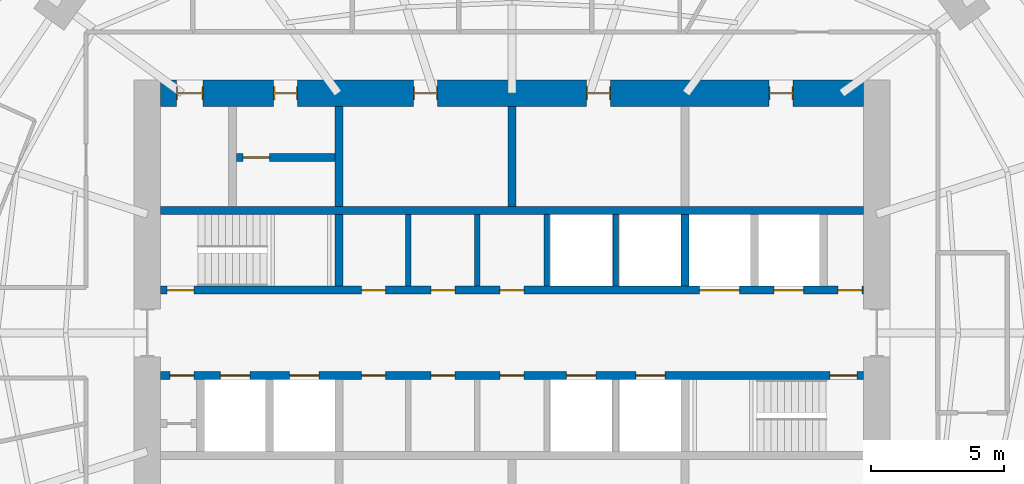
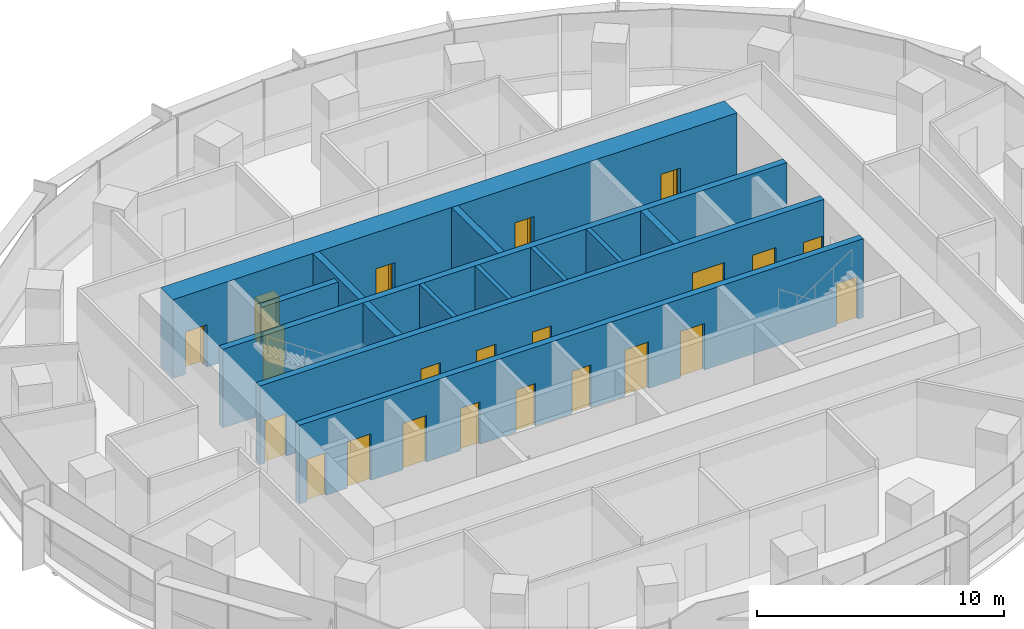
# One storey, part 11 of 14: 22 doors, 13 walls, 22 openings.
"""IFC4 building model written with IfcOpenShell, lengths in metres."""

from ifc_helpers import new_model, si_unit, direction, frame, frame_2d, origin, place, context, subcontext, project, spatial, rectangle, extrude, material, layer, layer_set, type_object, element, fill, save


model = new_model("IFC4")

# Units and contexts
model_context = context("Model", 3, precision=1e-05, world=origin(), true_north=direction((0.0, 1.0)))
body_context = subcontext(model_context, "Body", "Model", "MODEL_VIEW")
ifc_project = project(units=[si_unit("LENGTHUNIT", "METRE"), si_unit("AREAUNIT", "SQUARE_METRE"), si_unit("VOLUMEUNIT", "CUBIC_METRE"), si_unit("PLANEANGLEUNIT", "RADIAN"), si_unit("MASSUNIT", "GRAM", prefix="KILO")], contexts=[model_context])

# Site, building, storey
site_placement = place(None, origin())
site = spatial("IfcSite", under=ifc_project, at=site_placement, CompositionType="ELEMENT")
building_placement = place(site_placement, origin())
building = spatial("IfcBuilding", under=site, at=building_placement, Name="Marramba Exchange Tower", CompositionType="ELEMENT")
storey_placement = place(building_placement, frame((0.0, 0.0, 195.5)))
storey = spatial("IfcBuildingStorey", under=building, at=storey_placement, Name="L47", CompositionType="ELEMENT", Elevation=195.5)

# Walls
ifc_material_1 = material(Name="Concrete N50", Category="concrete")
ifc_layer_1 = layer(ifc_material_1, 0.199951171875)
ifc_layer_set_1 = layer_set([ifc_layer_1], Name="Core shaft wall 200")
wall_type_1 = type_object("IfcWallType", Name="Core shaft wall 200", PredefinedType="SHEAR", material=ifc_layer_set_1)
for number, where, z_axis, x_axis, name in (
    (1, (-3.89990234375, 1.75, 0.0), (0.0, 0.0, 1.0), (0.0, 1.0, 0.0), "Core wall SHN1 L47"),
    (2, (-1.300048828125, 1.75, 0.0), (0.0, 0.0, 1.0), (0.0, 1.0, 0.0), "Core wall SHN2 L47"),
    (3, (1.300048828125, 1.75, 0.0), (0.0, 0.0, 1.0), (0.0, 1.0, 0.0), "Core wall SHN3 L47"),
    (4, (3.89990234375, 1.75, 0.0), (0.0, 0.0, 1.0), (0.0, 1.0, 0.0), "Core wall SHN4 L47"),
):
    element("IfcWall", number, at=place(storey_placement, frame(where, z_axis=z_axis, x_axis=x_axis)), inside=storey, type_object=wall_type_1, Name=name, PredefinedType="SHEAR", context=body_context, shape_type="SweptSolid", body=[
        extrude(rectangle(XDim=2.699951171875, YDim=0.199951171875, at=frame_2d((1.35009765625, 0.0))), origin(), (0.0, 0.0, 1.0), 3.89990234375),
    ])

# Wall, openings, doors
ifc_layer_2 = layer(ifc_material_1, 1.0)
ifc_layer_set_2 = layer_set([ifc_layer_2], Name="Core wall 1000")
wall_type_2 = type_object("IfcWallType", Name="Core wall 1000", PredefinedType="SHEAR", material=ifc_layer_set_2)
wall_1_placement = place(storey_placement, frame((13.199951171875, 9.0, 0.0), z_axis=(0.0, 0.0, 1.0), x_axis=(-1.0, 0.0, 0.0)))
wall_1 = element("IfcWall", 5, at=wall_1_placement, inside=storey, type_object=wall_type_2, Name="Core wall N L47", PredefinedType="SHEAR", context=body_context, shape_type="SweptSolid", body=[
    extrude(rectangle(XDim=26.39990234375, YDim=1.0, at=frame_2d((13.199951171875, 0.0))), origin(), (0.0, 0.0, 1.0), 3.89990234375),
])
opening_1_placement = place(wall_1_placement, frame((2.64990234375, 0.0, 0.0)))
opening_1 = element("IfcOpeningElement", 6, at=opening_1_placement, cuts=wall_1, Name="Opening D5", PredefinedType="OPENING", context=body_context, shape_type="SweptSolid", body=[
    extrude(rectangle(XDim=0.89990234375, YDim=2.10009765625, at=frame_2d((0.449951171875, 1.050048828125))), frame((0.0, 0.510009765625, 0.0), z_axis=(0.0, -1.0, 0.0), x_axis=(1.0, 0.0, 0.0)), (0.0, 0.0, 1.0), 1.02001953125),
])
opening_2_placement = place(wall_1_placement, frame((9.5, 0.0, 0.0)))
opening_2 = element("IfcOpeningElement", 7, at=opening_2_placement, cuts=wall_1, Name="Opening D3", PredefinedType="OPENING", context=body_context, shape_type="SweptSolid", body=[
    extrude(rectangle(XDim=0.89990234375, YDim=2.10009765625, at=frame_2d((0.449951171875, 1.050048828125))), frame((0.0, 0.510009765625, 0.0), z_axis=(0.0, -1.0, 0.0), x_axis=(1.0, 0.0, 0.0)), (0.0, 0.0, 1.0), 1.02001953125),
])
opening_3_placement = place(wall_1_placement, frame((16.0, 0.0, 0.0)))
opening_3 = element("IfcOpeningElement", 8, at=opening_3_placement, cuts=wall_1, Name="Opening D3", PredefinedType="OPENING", context=body_context, shape_type="SweptSolid", body=[
    extrude(rectangle(XDim=0.89990234375, YDim=2.10009765625, at=frame_2d((0.449951171875, 1.050048828125))), frame((0.0, 0.510009765625, 0.0), z_axis=(0.0, -1.0, 0.0), x_axis=(1.0, 0.0, 0.0)), (0.0, 0.0, 1.0), 1.02001953125),
])
opening_4_placement = place(wall_1_placement, frame((21.25, 0.0, 0.0)))
opening_4 = element("IfcOpeningElement", 9, at=opening_4_placement, cuts=wall_1, Name="Opening D5", PredefinedType="OPENING", context=body_context, shape_type="SweptSolid", body=[
    extrude(rectangle(XDim=0.89990234375, YDim=2.10009765625, at=frame_2d((0.449951171875, 1.050048828125))), frame((0.0, 0.510009765625, 0.0), z_axis=(0.0, -1.0, 0.0), x_axis=(1.0, 0.0, 0.0)), (0.0, 0.0, 1.0), 1.02001953125),
])
opening_5_placement = place(wall_1_placement, frame((24.800048828125, 0.0, 0.0)))
opening_5 = element("IfcOpeningElement", 10, at=opening_5_placement, cuts=wall_1, Name="Opening D4", PredefinedType="OPENING", context=body_context, shape_type="SweptSolid", body=[
    extrude(rectangle(XDim=1.0, YDim=2.10009765625, at=frame_2d((0.5, 1.050048828125))), frame((0.0, 0.510009765625, 0.0), z_axis=(0.0, -1.0, 0.0), x_axis=(1.0, 0.0, 0.0)), (0.0, 0.0, 1.0), 1.02001953125),
])
ifc_material_2 = material(Name="Steel-framed door", Category="steel")
door_type_1 = type_object("IfcDoorType", Name="Accessible toilet door 1000x2100", OperationType="SINGLE_SWING_LEFT", PredefinedType="DOOR", material=ifc_material_2)
door_1_placement = place(opening_5_placement, origin())
door_1 = element("IfcDoor", 11, at=door_1_placement, inside=storey, type_object=door_type_1, Name="D4 awc L47", OperationType="SINGLE_SWING_RIGHT", OverallHeight=2.10009765625, OverallWidth=1.0, PredefinedType="DOOR", context=body_context, shape_type="SweptSolid", body=[
    extrude(rectangle(XDim=0.919921875, YDim=2.06005859375, at=frame_2d((0.5, 1.030029296875))), frame((0.0, 0.02490234375, 0.0), z_axis=(0.0, -1.0, 0.0), x_axis=(1.0, 0.0, 0.0)), (0.0, 0.0, 1.0), 0.050048828125),
    extrude(rectangle(XDim=0.04, YDim=2.10009765625, at=frame_2d((0.02001953125, 1.050048828125))), frame((0.0, 0.25, 0.0), z_axis=(0.0, -1.0, 0.0), x_axis=(1.0, 0.0, 0.0)), (0.0, 0.0, 1.0), 0.5),
    extrude(rectangle(XDim=0.04, YDim=2.10009765625, at=frame_2d((0.97998046875, 1.050048828125))), frame((0.0, 0.25, 0.0), z_axis=(0.0, -1.0, 0.0), x_axis=(1.0, 0.0, 0.0)), (0.0, 0.0, 1.0), 0.5),
    extrude(rectangle(XDim=0.919921875, YDim=0.04, at=frame_2d((0.5, 2.080078125))), frame((0.0, 0.25, 0.0), z_axis=(0.0, -1.0, 0.0), x_axis=(1.0, 0.0, 0.0)), (0.0, 0.0, 1.0), 0.5),
])
fill(opening_5, door_1)
door_type_2 = type_object("IfcDoorType", Name="Service door 900x2100", OperationType="SINGLE_SWING_LEFT", PredefinedType="DOOR", material=ifc_material_2)
door_2_placement = place(opening_1_placement, origin())
door_2 = element("IfcDoor", 12, at=door_2_placement, inside=storey, type_object=door_type_2, Name="D5 comms L47", OperationType="SINGLE_SWING_LEFT", OverallHeight=2.10009765625, OverallWidth=0.89990234375, PredefinedType="DOOR", context=body_context, shape_type="SweptSolid", body=[
    extrude(rectangle(XDim=0.81982421875, YDim=2.06005859375, at=frame_2d((0.449951171875, 1.030029296875))), frame((0.0, 0.02490234375, 0.0), z_axis=(0.0, -1.0, 0.0), x_axis=(1.0, 0.0, 0.0)), (0.0, 0.0, 1.0), 0.050048828125),
    extrude(rectangle(XDim=0.04, YDim=2.10009765625, at=frame_2d((0.02001953125, 1.050048828125))), frame((0.0, 0.25, 0.0), z_axis=(0.0, -1.0, 0.0), x_axis=(1.0, 0.0, 0.0)), (0.0, 0.0, 1.0), 0.5),
    extrude(rectangle(XDim=0.04, YDim=2.10009765625, at=frame_2d((0.8798828125, 1.050048828125))), frame((0.0, 0.25, 0.0), z_axis=(0.0, -1.0, 0.0), x_axis=(1.0, 0.0, 0.0)), (0.0, 0.0, 1.0), 0.5),
    extrude(rectangle(XDim=0.81982421875, YDim=0.04, at=frame_2d((0.449951171875, 2.080078125))), frame((0.0, 0.25, 0.0), z_axis=(0.0, -1.0, 0.0), x_axis=(1.0, 0.0, 0.0)), (0.0, 0.0, 1.0), 0.5),
])
fill(opening_1, door_2)
door_3_placement = place(opening_4_placement, origin())
door_3 = element("IfcDoor", 13, at=door_3_placement, inside=storey, type_object=door_type_2, Name="D5 cleaner L47", OperationType="SINGLE_SWING_RIGHT", OverallHeight=2.10009765625, OverallWidth=0.89990234375, PredefinedType="DOOR", context=body_context, shape_type="SweptSolid", body=[
    extrude(rectangle(XDim=0.81982421875, YDim=2.06005859375, at=frame_2d((0.449951171875, 1.030029296875))), frame((0.0, 0.02490234375, 0.0), z_axis=(0.0, -1.0, 0.0), x_axis=(1.0, 0.0, 0.0)), (0.0, 0.0, 1.0), 0.050048828125),
    extrude(rectangle(XDim=0.04, YDim=2.10009765625, at=frame_2d((0.02001953125, 1.050048828125))), frame((0.0, 0.25, 0.0), z_axis=(0.0, -1.0, 0.0), x_axis=(1.0, 0.0, 0.0)), (0.0, 0.0, 1.0), 0.5),
    extrude(rectangle(XDim=0.04, YDim=2.10009765625, at=frame_2d((0.8798828125, 1.050048828125))), frame((0.0, 0.25, 0.0), z_axis=(0.0, -1.0, 0.0), x_axis=(1.0, 0.0, 0.0)), (0.0, 0.0, 1.0), 0.5),
    extrude(rectangle(XDim=0.81982421875, YDim=0.04, at=frame_2d((0.449951171875, 2.080078125))), frame((0.0, 0.25, 0.0), z_axis=(0.0, -1.0, 0.0), x_axis=(1.0, 0.0, 0.0)), (0.0, 0.0, 1.0), 0.5),
])
fill(opening_4, door_3)
door_type_3 = type_object("IfcDoorType", Name="Toilet door 900x2100", OperationType="SINGLE_SWING_LEFT", PredefinedType="DOOR", material=ifc_material_2)
door_4_placement = place(opening_2_placement, origin())
door_4 = element("IfcDoor", 14, at=door_4_placement, inside=storey, type_object=door_type_3, Name="D3 wc-f L47", OperationType="SINGLE_SWING_RIGHT", OverallHeight=2.10009765625, OverallWidth=0.89990234375, PredefinedType="DOOR", context=body_context, shape_type="SweptSolid", body=[
    extrude(rectangle(XDim=0.81982421875, YDim=2.06005859375, at=frame_2d((0.449951171875, 1.030029296875))), frame((0.0, 0.02490234375, 0.0), z_axis=(0.0, -1.0, 0.0), x_axis=(1.0, 0.0, 0.0)), (0.0, 0.0, 1.0), 0.050048828125),
    extrude(rectangle(XDim=0.04, YDim=2.10009765625, at=frame_2d((0.02001953125, 1.050048828125))), frame((0.0, 0.25, 0.0), z_axis=(0.0, -1.0, 0.0), x_axis=(1.0, 0.0, 0.0)), (0.0, 0.0, 1.0), 0.5),
    extrude(rectangle(XDim=0.04, YDim=2.10009765625, at=frame_2d((0.8798828125, 1.050048828125))), frame((0.0, 0.25, 0.0), z_axis=(0.0, -1.0, 0.0), x_axis=(1.0, 0.0, 0.0)), (0.0, 0.0, 1.0), 0.5),
    extrude(rectangle(XDim=0.81982421875, YDim=0.04, at=frame_2d((0.449951171875, 2.080078125))), frame((0.0, 0.25, 0.0), z_axis=(0.0, -1.0, 0.0), x_axis=(1.0, 0.0, 0.0)), (0.0, 0.0, 1.0), 0.5),
])
fill(opening_2, door_4)
door_5_placement = place(opening_3_placement, origin())
door_5 = element("IfcDoor", 15, at=door_5_placement, inside=storey, type_object=door_type_3, Name="D3 wc-m L47", OperationType="SINGLE_SWING_RIGHT", OverallHeight=2.10009765625, OverallWidth=0.89990234375, PredefinedType="DOOR", context=body_context, shape_type="SweptSolid", body=[
    extrude(rectangle(XDim=0.81982421875, YDim=2.06005859375, at=frame_2d((0.449951171875, 1.030029296875))), frame((0.0, 0.02490234375, 0.0), z_axis=(0.0, -1.0, 0.0), x_axis=(1.0, 0.0, 0.0)), (0.0, 0.0, 1.0), 0.050048828125),
    extrude(rectangle(XDim=0.04, YDim=2.10009765625, at=frame_2d((0.02001953125, 1.050048828125))), frame((0.0, 0.25, 0.0), z_axis=(0.0, -1.0, 0.0), x_axis=(1.0, 0.0, 0.0)), (0.0, 0.0, 1.0), 0.5),
    extrude(rectangle(XDim=0.04, YDim=2.10009765625, at=frame_2d((0.8798828125, 1.050048828125))), frame((0.0, 0.25, 0.0), z_axis=(0.0, -1.0, 0.0), x_axis=(1.0, 0.0, 0.0)), (0.0, 0.0, 1.0), 0.5),
    extrude(rectangle(XDim=0.81982421875, YDim=0.04, at=frame_2d((0.449951171875, 2.080078125))), frame((0.0, 0.25, 0.0), z_axis=(0.0, -1.0, 0.0), x_axis=(1.0, 0.0, 0.0)), (0.0, 0.0, 1.0), 0.5),
])
fill(opening_3, door_5)

ifc_layer_3 = layer(ifc_material_1, 0.300048828125)
ifc_layer_set_3 = layer_set([ifc_layer_3], Name="Core wall 300")
wall_type_3 = type_object("IfcWallType", Name="Core wall 300", PredefinedType="SHEAR", material=ifc_layer_set_3)
wall_2_placement = place(storey_placement, frame((-13.199951171875, 1.60009765625, 0.0), z_axis=(0.0, 0.0, 1.0), x_axis=(1.0, 0.0, 0.0)))
wall_2 = element("IfcWall", 16, at=wall_2_placement, inside=storey, type_object=wall_type_3, Name="Core wall LN L47", PredefinedType="SHEAR", context=body_context, shape_type="SweptSolid", body=[
    extrude(rectangle(XDim=26.39990234375, YDim=0.300048828125, at=frame_2d((13.199951171875, 0.0))), origin(), (0.0, 0.0, 1.0), 3.89990234375),
])
opening_6_placement = place(wall_2_placement, frame((0.25, 0.0, 0.0)))
opening_6 = element("IfcOpeningElement", 17, at=opening_6_placement, cuts=wall_2, Name="Opening D2", PredefinedType="OPENING", context=body_context, shape_type="SweptSolid", body=[
    extrude(rectangle(XDim=1.0, YDim=2.10009765625, at=frame_2d((0.5, 1.050048828125))), frame((0.0, 0.159912109375, 0.0), z_axis=(0.0, -1.0, 0.0), x_axis=(1.0, 0.0, 0.0)), (0.0, 0.0, 1.0), 0.320068359375),
])
opening_7_placement = place(wall_2_placement, frame((23.050048828125, 0.0, 0.0)))
opening_7 = element("IfcOpeningElement", 18, at=opening_7_placement, cuts=wall_2, Name="Opening LD1", PredefinedType="OPENING", context=body_context, shape_type="SweptSolid", body=[
    extrude(rectangle(XDim=1.10009765625, YDim=2.300048828125, at=frame_2d((0.550048828125, 1.14990234375))), frame((0.0, 0.159912109375, 0.0), z_axis=(0.0, -1.0, 0.0), x_axis=(1.0, 0.0, 0.0)), (0.0, 0.0, 1.0), 0.320068359375),
])
opening_8_placement = place(wall_2_placement, frame((20.25, 0.0, 0.0)))
opening_8 = element("IfcOpeningElement", 19, at=opening_8_placement, cuts=wall_2, Name="Opening LD3", PredefinedType="OPENING", context=body_context, shape_type="SweptSolid", body=[
    extrude(rectangle(XDim=1.5, YDim=2.39990234375, at=frame_2d((0.75, 1.199951171875))), frame((0.0, 0.159912109375, 0.0), z_axis=(0.0, -1.0, 0.0), x_axis=(1.0, 0.0, 0.0)), (0.0, 0.0, 1.0), 0.320068359375),
])
opening_9_placement = place(wall_2_placement, frame((7.550048828125, 0.0, 0.0)))
opening_9 = element("IfcOpeningElement", 20, at=opening_9_placement, cuts=wall_2, Name="Opening D5", PredefinedType="OPENING", context=body_context, shape_type="SweptSolid", body=[
    extrude(rectangle(XDim=0.89990234375, YDim=2.10009765625, at=frame_2d((0.449951171875, 1.050048828125))), frame((0.0, 0.159912109375, 0.0), z_axis=(0.0, -1.0, 0.0), x_axis=(1.0, 0.0, 0.0)), (0.0, 0.0, 1.0), 0.320068359375),
])
opening_10_placement = place(wall_2_placement, frame((10.14990234375, 0.0, 0.0)))
opening_10 = element("IfcOpeningElement", 21, at=opening_10_placement, cuts=wall_2, Name="Opening D5", PredefinedType="OPENING", context=body_context, shape_type="SweptSolid", body=[
    extrude(rectangle(XDim=0.89990234375, YDim=2.10009765625, at=frame_2d((0.449951171875, 1.050048828125))), frame((0.0, 0.159912109375, 0.0), z_axis=(0.0, -1.0, 0.0), x_axis=(1.0, 0.0, 0.0)), (0.0, 0.0, 1.0), 0.320068359375),
])
opening_11_placement = place(wall_2_placement, frame((12.75, 0.0, 0.0)))
opening_11 = element("IfcOpeningElement", 22, at=opening_11_placement, cuts=wall_2, Name="Opening D5", PredefinedType="OPENING", context=body_context, shape_type="SweptSolid", body=[
    extrude(rectangle(XDim=0.89990234375, YDim=2.10009765625, at=frame_2d((0.449951171875, 1.050048828125))), frame((0.0, 0.159912109375, 0.0), z_axis=(0.0, -1.0, 0.0), x_axis=(1.0, 0.0, 0.0)), (0.0, 0.0, 1.0), 0.320068359375),
])
opening_12_placement = place(wall_2_placement, frame((25.449951171875, 0.0, 0.0)))
opening_12 = element("IfcOpeningElement", 23, at=opening_12_placement, cuts=wall_2, Name="Opening D5", PredefinedType="OPENING", context=body_context, shape_type="SweptSolid", body=[
    extrude(rectangle(XDim=0.89990234375, YDim=2.10009765625, at=frame_2d((0.449951171875, 1.050048828125))), frame((0.0, 0.159912109375, 0.0), z_axis=(0.0, -1.0, 0.0), x_axis=(1.0, 0.0, 0.0)), (0.0, 0.0, 1.0), 0.320068359375),
])
door_type_4 = type_object("IfcDoorType", Name="Goods lift landing door 1500x2400", OperationType="SLIDING_TO_LEFT", PredefinedType="DOOR", material=ifc_material_2)
door_6_placement = place(opening_8_placement, origin())
door_6 = element("IfcDoor", 24, at=door_6_placement, inside=storey, type_object=door_type_4, Name="GL1 landing door L47", OperationType="SLIDING_TO_LEFT", OverallHeight=2.39990234375, OverallWidth=1.5, PredefinedType="DOOR", context=body_context, shape_type="SweptSolid", body=[
    extrude(rectangle(XDim=1.5, YDim=2.39990234375, at=frame_2d((0.75, 1.199951171875))), frame((0.0, 0.02490234375, 0.0), z_axis=(0.0, -1.0, 0.0), x_axis=(1.0, 0.0, 0.0)), (0.0, 0.0, 1.0), 0.050048828125),
])
fill(opening_8, door_6)
door_type_5 = type_object("IfcDoorType", Name="Lift landing door 1100x2300", OperationType="SLIDING_TO_LEFT", PredefinedType="DOOR", material=ifc_material_2)
door_7_placement = place(opening_7_placement, origin())
door_7 = element("IfcDoor", 25, at=door_7_placement, inside=storey, type_object=door_type_5, Name="LC3 landing door L47", OperationType="SLIDING_TO_LEFT", OverallHeight=2.300048828125, OverallWidth=1.10009765625, PredefinedType="DOOR", context=body_context, shape_type="SweptSolid", body=[
    extrude(rectangle(XDim=1.10009765625, YDim=2.300048828125, at=frame_2d((0.550048828125, 1.14990234375))), frame((0.0, 0.02490234375, 0.0), z_axis=(0.0, -1.0, 0.0), x_axis=(1.0, 0.0, 0.0)), (0.0, 0.0, 1.0), 0.050048828125),
])
fill(opening_7, door_7)
door_8_placement = place(opening_9_placement, origin())
door_8 = element("IfcDoor", 26, at=door_8_placement, inside=storey, type_object=door_type_2, Name="D5 stationery store L47", OperationType="SINGLE_SWING_RIGHT", OverallHeight=2.10009765625, OverallWidth=0.89990234375, PredefinedType="DOOR", context=body_context, shape_type="SweptSolid", body=[
    extrude(rectangle(XDim=0.89990234375, YDim=2.10009765625, at=frame_2d((0.449951171875, 1.050048828125))), frame((0.0, 0.02490234375, 0.0), z_axis=(0.0, -1.0, 0.0), x_axis=(1.0, 0.0, 0.0)), (0.0, 0.0, 1.0), 0.050048828125),
])
fill(opening_9, door_8)
door_9_placement = place(opening_10_placement, origin())
door_9 = element("IfcDoor", 27, at=door_9_placement, inside=storey, type_object=door_type_2, Name="D5 switch room L47", OperationType="SINGLE_SWING_RIGHT", OverallHeight=2.10009765625, OverallWidth=0.89990234375, PredefinedType="DOOR", context=body_context, shape_type="SweptSolid", body=[
    extrude(rectangle(XDim=0.89990234375, YDim=2.10009765625, at=frame_2d((0.449951171875, 1.050048828125))), frame((0.0, 0.02490234375, 0.0), z_axis=(0.0, -1.0, 0.0), x_axis=(1.0, 0.0, 0.0)), (0.0, 0.0, 1.0), 0.050048828125),
])
fill(opening_10, door_9)
door_10_placement = place(opening_11_placement, origin())
door_10 = element("IfcDoor", 28, at=door_10_placement, inside=storey, type_object=door_type_2, Name="D5 cleaner store L47", OperationType="SINGLE_SWING_RIGHT", OverallHeight=2.10009765625, OverallWidth=0.89990234375, PredefinedType="DOOR", context=body_context, shape_type="SweptSolid", body=[
    extrude(rectangle(XDim=0.89990234375, YDim=2.10009765625, at=frame_2d((0.449951171875, 1.050048828125))), frame((0.0, 0.02490234375, 0.0), z_axis=(0.0, -1.0, 0.0), x_axis=(1.0, 0.0, 0.0)), (0.0, 0.0, 1.0), 0.050048828125),
])
fill(opening_11, door_10)
door_11_placement = place(opening_12_placement, origin())
door_11 = element("IfcDoor", 29, at=door_11_placement, inside=storey, type_object=door_type_2, Name="D5 riser L47", OperationType="SINGLE_SWING_RIGHT", OverallHeight=2.10009765625, OverallWidth=0.89990234375, PredefinedType="DOOR", context=body_context, shape_type="SweptSolid", body=[
    extrude(rectangle(XDim=0.89990234375, YDim=2.10009765625, at=frame_2d((0.449951171875, 1.050048828125))), frame((0.0, 0.02490234375, 0.0), z_axis=(0.0, -1.0, 0.0), x_axis=(1.0, 0.0, 0.0)), (0.0, 0.0, 1.0), 0.050048828125),
])
fill(opening_12, door_11)
door_type_6 = type_object("IfcDoorType", Name="Stair door 1000x2100", OperationType="SINGLE_SWING_LEFT", PredefinedType="DOOR", material=ifc_material_2)
door_12_placement = place(opening_6_placement, origin())
door_12 = element("IfcDoor", 30, at=door_12_placement, inside=storey, type_object=door_type_6, Name="D2 stair ST1 L47", OperationType="SINGLE_SWING_LEFT", OverallHeight=2.10009765625, OverallWidth=1.0, PredefinedType="DOOR", context=body_context, shape_type="SweptSolid", body=[
    extrude(rectangle(XDim=1.0, YDim=2.10009765625, at=frame_2d((0.5, 1.050048828125))), frame((0.0, 0.02490234375, 0.0), z_axis=(0.0, -1.0, 0.0), x_axis=(1.0, 0.0, 0.0)), (0.0, 0.0, 1.0), 0.050048828125),
])
fill(opening_6, door_12)

wall_3_placement = place(storey_placement, frame((-13.199951171875, -1.60009765625, 0.0), z_axis=(0.0, 0.0, 1.0), x_axis=(1.0, 0.0, 0.0)))
wall_3 = element("IfcWall", 31, at=wall_3_placement, inside=storey, type_object=wall_type_3, Name="Core wall LS L47", PredefinedType="SHEAR", context=body_context, shape_type="SweptSolid", body=[
    extrude(rectangle(XDim=26.39990234375, YDim=0.300048828125, at=frame_2d((13.199951171875, 0.0))), origin(), (0.0, 0.0, 1.0), 3.89990234375),
])
opening_13_placement = place(wall_3_placement, frame((25.14990234375, 0.0, 0.0)))
opening_13 = element("IfcOpeningElement", 32, at=opening_13_placement, cuts=wall_3, Name="Opening D2", PredefinedType="OPENING", context=body_context, shape_type="SweptSolid", body=[
    extrude(rectangle(XDim=1.0, YDim=2.10009765625, at=frame_2d((0.5, 1.050048828125))), frame((0.0, 0.159912109375, 0.0), z_axis=(0.0, -1.0, 0.0), x_axis=(1.0, 0.0, 0.0)), (0.0, 0.0, 1.0), 0.320068359375),
])
opening_14_placement = place(wall_3_placement, frame((7.550048828125, 0.0, 0.0)))
opening_14 = element("IfcOpeningElement", 33, at=opening_14_placement, cuts=wall_3, Name="Opening D5", PredefinedType="OPENING", context=body_context, shape_type="SweptSolid", body=[
    extrude(rectangle(XDim=0.89990234375, YDim=2.10009765625, at=frame_2d((0.449951171875, 1.050048828125))), frame((0.0, 0.159912109375, 0.0), z_axis=(0.0, -1.0, 0.0), x_axis=(1.0, 0.0, 0.0)), (0.0, 0.0, 1.0), 0.320068359375),
])
opening_15_placement = place(wall_3_placement, frame((10.14990234375, 0.0, 0.0)))
opening_15 = element("IfcOpeningElement", 34, at=opening_15_placement, cuts=wall_3, Name="Opening D3", PredefinedType="OPENING", context=body_context, shape_type="SweptSolid", body=[
    extrude(rectangle(XDim=0.89990234375, YDim=2.10009765625, at=frame_2d((0.449951171875, 1.050048828125))), frame((0.0, 0.159912109375, 0.0), z_axis=(0.0, -1.0, 0.0), x_axis=(1.0, 0.0, 0.0)), (0.0, 0.0, 1.0), 0.320068359375),
])
opening_16_placement = place(wall_3_placement, frame((12.75, 0.0, 0.0)))
opening_16 = element("IfcOpeningElement", 35, at=opening_16_placement, cuts=wall_3, Name="Opening D5", PredefinedType="OPENING", context=body_context, shape_type="SweptSolid", body=[
    extrude(rectangle(XDim=0.89990234375, YDim=2.10009765625, at=frame_2d((0.449951171875, 1.050048828125))), frame((0.0, 0.159912109375, 0.0), z_axis=(0.0, -1.0, 0.0), x_axis=(1.0, 0.0, 0.0)), (0.0, 0.0, 1.0), 0.320068359375),
])
opening_17_placement = place(wall_3_placement, frame((15.25, 0.0, 0.0)))
opening_17 = element("IfcOpeningElement", 36, at=opening_17_placement, cuts=wall_3, Name="Opening LD2", PredefinedType="OPENING", context=body_context, shape_type="SweptSolid", body=[
    extrude(rectangle(XDim=1.10009765625, YDim=2.300048828125, at=frame_2d((0.550048828125, 1.14990234375))), frame((0.0, 0.159912109375, 0.0), z_axis=(0.0, -1.0, 0.0), x_axis=(1.0, 0.0, 0.0)), (0.0, 0.0, 1.0), 0.320068359375),
])
opening_18_placement = place(wall_3_placement, frame((17.85009765625, 0.0, 0.0)))
opening_18 = element("IfcOpeningElement", 37, at=opening_18_placement, cuts=wall_3, Name="Opening LD2", PredefinedType="OPENING", context=body_context, shape_type="SweptSolid", body=[
    extrude(rectangle(XDim=1.10009765625, YDim=2.300048828125, at=frame_2d((0.550048828125, 1.14990234375))), frame((0.0, 0.159912109375, 0.0), z_axis=(0.0, -1.0, 0.0), x_axis=(1.0, 0.0, 0.0)), (0.0, 0.0, 1.0), 0.320068359375),
])
opening_19_placement = place(wall_3_placement, frame((4.85009765625, 0.0, 0.0)))
opening_19 = element("IfcOpeningElement", 38, at=opening_19_placement, cuts=wall_3, Name="Opening LD1", PredefinedType="OPENING", context=body_context, shape_type="SweptSolid", body=[
    extrude(rectangle(XDim=1.10009765625, YDim=2.300048828125, at=frame_2d((0.550048828125, 1.14990234375))), frame((0.0, 0.159912109375, 0.0), z_axis=(0.0, -1.0, 0.0), x_axis=(1.0, 0.0, 0.0)), (0.0, 0.0, 1.0), 0.320068359375),
])
opening_20_placement = place(wall_3_placement, frame((2.25, 0.0, 0.0)))
opening_20 = element("IfcOpeningElement", 39, at=opening_20_placement, cuts=wall_3, Name="Opening LD1", PredefinedType="OPENING", context=body_context, shape_type="SweptSolid", body=[
    extrude(rectangle(XDim=1.10009765625, YDim=2.300048828125, at=frame_2d((0.550048828125, 1.14990234375))), frame((0.0, 0.159912109375, 0.0), z_axis=(0.0, -1.0, 0.0), x_axis=(1.0, 0.0, 0.0)), (0.0, 0.0, 1.0), 0.320068359375),
])
opening_21_placement = place(wall_3_placement, frame((0.35009765625, 0.0, 0.0)))
opening_21 = element("IfcOpeningElement", 40, at=opening_21_placement, cuts=wall_3, Name="Opening D5", PredefinedType="OPENING", context=body_context, shape_type="SweptSolid", body=[
    extrude(rectangle(XDim=0.89990234375, YDim=2.10009765625, at=frame_2d((0.449951171875, 1.050048828125))), frame((0.0, 0.159912109375, 0.0), z_axis=(0.0, -1.0, 0.0), x_axis=(1.0, 0.0, 0.0)), (0.0, 0.0, 1.0), 0.320068359375),
])
door_type_7 = type_object("IfcDoorType", Name="Emergency lift landing door 1100x2300", OperationType="SLIDING_TO_LEFT", PredefinedType="DOOR", material=ifc_material_2)
door_13_placement = place(opening_17_placement, frame((1.10009765625, 0.0, 0.0), z_axis=(0.0, 0.0, 1.0), x_axis=(-1.0, 0.0, 0.0)))
door_13 = element("IfcDoor", 41, at=door_13_placement, inside=storey, type_object=door_type_7, Name="FL1 landing door L47", OperationType="SLIDING_TO_RIGHT", OverallHeight=2.300048828125, OverallWidth=1.10009765625, PredefinedType="DOOR", context=body_context, shape_type="SweptSolid", body=[
    extrude(rectangle(XDim=1.10009765625, YDim=2.300048828125, at=frame_2d((0.550048828125, 1.14990234375))), frame((0.0, 0.025146484375, 0.0), z_axis=(0.0, -1.0, 0.0), x_axis=(1.0, 0.0, 0.0)), (0.0, 0.0, 1.0), 0.050048828125),
])
fill(opening_17, door_13)
door_14_placement = place(opening_18_placement, frame((1.10009765625, 0.0, 0.0), z_axis=(0.0, 0.0, 1.0), x_axis=(-1.0, 0.0, 0.0)))
door_14 = element("IfcDoor", 42, at=door_14_placement, inside=storey, type_object=door_type_7, Name="FL2 landing door L47", OperationType="SLIDING_TO_LEFT", OverallHeight=2.300048828125, OverallWidth=1.10009765625, PredefinedType="DOOR", context=body_context, shape_type="SweptSolid", body=[
    extrude(rectangle(XDim=1.10009765625, YDim=2.300048828125, at=frame_2d((0.550048828125, 1.14990234375))), frame((0.0, 0.025146484375, 0.0), z_axis=(0.0, -1.0, 0.0), x_axis=(1.0, 0.0, 0.0)), (0.0, 0.0, 1.0), 0.050048828125),
])
fill(opening_18, door_14)
door_15_placement = place(opening_19_placement, frame((1.10009765625, 0.0, 0.0), z_axis=(0.0, 0.0, 1.0), x_axis=(-1.0, 0.0, 0.0)))
door_15 = element("IfcDoor", 43, at=door_15_placement, inside=storey, type_object=door_type_5, Name="LC1 landing door L47", OperationType="SLIDING_TO_LEFT", OverallHeight=2.300048828125, OverallWidth=1.10009765625, PredefinedType="DOOR", context=body_context, shape_type="SweptSolid", body=[
    extrude(rectangle(XDim=1.10009765625, YDim=2.300048828125, at=frame_2d((0.550048828125, 1.14990234375))), frame((0.0, 0.025146484375, 0.0), z_axis=(0.0, -1.0, 0.0), x_axis=(1.0, 0.0, 0.0)), (0.0, 0.0, 1.0), 0.050048828125),
])
fill(opening_19, door_15)
door_16_placement = place(opening_20_placement, frame((1.10009765625, 0.0, 0.0), z_axis=(0.0, 0.0, 1.0), x_axis=(-1.0, 0.0, 0.0)))
door_16 = element("IfcDoor", 44, at=door_16_placement, inside=storey, type_object=door_type_5, Name="LC2 landing door L47", OperationType="SLIDING_TO_LEFT", OverallHeight=2.300048828125, OverallWidth=1.10009765625, PredefinedType="DOOR", context=body_context, shape_type="SweptSolid", body=[
    extrude(rectangle(XDim=1.10009765625, YDim=2.300048828125, at=frame_2d((0.550048828125, 1.14990234375))), frame((0.0, 0.025146484375, 0.0), z_axis=(0.0, -1.0, 0.0), x_axis=(1.0, 0.0, 0.0)), (0.0, 0.0, 1.0), 0.050048828125),
])
fill(opening_20, door_16)
door_17_placement = place(opening_14_placement, frame((0.89990234375, 0.0, 0.0), z_axis=(0.0, 0.0, 1.0), x_axis=(-1.0, 0.0, 0.0)))
door_17 = element("IfcDoor", 45, at=door_17_placement, inside=storey, type_object=door_type_2, Name="D5 general store L47", OperationType="SINGLE_SWING_RIGHT", OverallHeight=2.10009765625, OverallWidth=0.89990234375, PredefinedType="DOOR", context=body_context, shape_type="SweptSolid", body=[
    extrude(rectangle(XDim=0.89990234375, YDim=2.10009765625, at=frame_2d((0.449951171875, 1.050048828125))), frame((0.0, 0.025146484375, 0.0), z_axis=(0.0, -1.0, 0.0), x_axis=(1.0, 0.0, 0.0)), (0.0, 0.0, 1.0), 0.050048828125),
])
fill(opening_14, door_17)
door_18_placement = place(opening_16_placement, frame((0.89990234375, 0.0, 0.0), z_axis=(0.0, 0.0, 1.0), x_axis=(-1.0, 0.0, 0.0)))
door_18 = element("IfcDoor", 46, at=door_18_placement, inside=storey, type_object=door_type_2, Name="D5 archive store n2 L47", OperationType="SINGLE_SWING_RIGHT", OverallHeight=2.10009765625, OverallWidth=0.89990234375, PredefinedType="DOOR", context=body_context, shape_type="SweptSolid", body=[
    extrude(rectangle(XDim=0.89990234375, YDim=2.10009765625, at=frame_2d((0.449951171875, 1.050048828125))), frame((0.0, 0.025146484375, 0.0), z_axis=(0.0, -1.0, 0.0), x_axis=(1.0, 0.0, 0.0)), (0.0, 0.0, 1.0), 0.050048828125),
])
fill(opening_16, door_18)
door_19_placement = place(opening_21_placement, frame((0.89990234375, 0.0, 0.0), z_axis=(0.0, 0.0, 1.0), x_axis=(-1.0, 0.0, 0.0)))
door_19 = element("IfcDoor", 47, at=door_19_placement, inside=storey, type_object=door_type_2, Name="D5 electrical riser L47", OperationType="SINGLE_SWING_LEFT", OverallHeight=2.10009765625, OverallWidth=0.89990234375, PredefinedType="DOOR", context=body_context, shape_type="SweptSolid", body=[
    extrude(rectangle(XDim=0.89990234375, YDim=2.10009765625, at=frame_2d((0.449951171875, 1.050048828125))), frame((0.0, 0.025146484375, 0.0), z_axis=(0.0, -1.0, 0.0), x_axis=(1.0, 0.0, 0.0)), (0.0, 0.0, 1.0), 0.050048828125),
])
fill(opening_21, door_19)
door_20_placement = place(opening_13_placement, frame((1.0, 0.0, 0.0), z_axis=(0.0, 0.0, 1.0), x_axis=(-1.0, 0.0, 0.0)))
door_20 = element("IfcDoor", 48, at=door_20_placement, inside=storey, type_object=door_type_6, Name="D2 stair ST2 L47", OperationType="SINGLE_SWING_LEFT", OverallHeight=2.10009765625, OverallWidth=1.0, PredefinedType="DOOR", context=body_context, shape_type="SweptSolid", body=[
    extrude(rectangle(XDim=1.0, YDim=2.10009765625, at=frame_2d((0.5, 1.050048828125))), frame((0.0, 0.025146484375, 0.0), z_axis=(0.0, -1.0, 0.0), x_axis=(1.0, 0.0, 0.0)), (0.0, 0.0, 1.0), 0.050048828125),
])
fill(opening_13, door_20)
door_21_placement = place(opening_15_placement, frame((0.89990234375, 0.0, 0.0), z_axis=(0.0, 0.0, 1.0), x_axis=(-1.0, 0.0, 0.0)))
door_21 = element("IfcDoor", 49, at=door_21_placement, inside=storey, type_object=door_type_3, Name="D3 staff wc n1 L47", OperationType="SINGLE_SWING_RIGHT", OverallHeight=2.10009765625, OverallWidth=0.89990234375, PredefinedType="DOOR", context=body_context, shape_type="SweptSolid", body=[
    extrude(rectangle(XDim=0.89990234375, YDim=2.10009765625, at=frame_2d((0.449951171875, 1.050048828125))), frame((0.0, 0.025146484375, 0.0), z_axis=(0.0, -1.0, 0.0), x_axis=(1.0, 0.0, 0.0)), (0.0, 0.0, 1.0), 0.050048828125),
])
fill(opening_15, door_21)

# Walls
wall_4_placement = place(storey_placement, frame((-13.199951171875, 4.60009765625, 0.0), z_axis=(0.0, 0.0, 1.0), x_axis=(1.0, 0.0, 0.0)))
element("IfcWall", 50, at=wall_4_placement, inside=storey, type_object=wall_type_3, Name="Core wall BN L47", PredefinedType="SHEAR", context=body_context, shape_type="SweptSolid", body=[
    extrude(rectangle(XDim=26.39990234375, YDim=0.300048828125, at=frame_2d((13.199951171875, 0.0))), origin(), (0.0, 0.0, 1.0), 3.89990234375),
])
wall_5_placement = place(storey_placement, frame((-6.5, 1.75, 0.0), z_axis=(0.0, 0.0, 1.0), x_axis=(0.0, 1.0, 0.0)))
element("IfcWall", 51, at=wall_5_placement, inside=storey, type_object=wall_type_3, Name="Core wall X0Na L47", PredefinedType="SHEAR", context=body_context, shape_type="SweptSolid", body=[
    extrude(rectangle(XDim=2.699951171875, YDim=0.300048828125, at=frame_2d((1.35009765625, 0.0))), origin(), (0.0, 0.0, 1.0), 3.89990234375),
])
wall_6_placement = place(storey_placement, frame((-6.5, 4.75, 0.0), z_axis=(0.0, 0.0, 1.0), x_axis=(0.0, 1.0, 0.0)))
element("IfcWall", 52, at=wall_6_placement, inside=storey, type_object=wall_type_3, Name="Core wall X0Nb L47", PredefinedType="SHEAR", context=body_context, shape_type="SweptSolid", body=[
    extrude(rectangle(XDim=3.75, YDim=0.300048828125, at=frame_2d((1.875, 0.0))), origin(), (0.0, 0.0, 1.0), 3.89990234375),
])
wall_7_placement = place(storey_placement, frame((6.5, 1.75, 0.0), z_axis=(0.0, 0.0, 1.0), x_axis=(0.0, 1.0, 0.0)))
element("IfcWall", 53, at=wall_7_placement, inside=storey, type_object=wall_type_3, Name="Core wall X1Na L47", PredefinedType="SHEAR", context=body_context, shape_type="SweptSolid", body=[
    extrude(rectangle(XDim=2.699951171875, YDim=0.300048828125, at=frame_2d((1.35009765625, 0.0))), origin(), (0.0, 0.0, 1.0), 3.89990234375),
])
wall_8_placement = place(storey_placement, frame((0.0, 4.75, 0.0), z_axis=(0.0, 0.0, 1.0), x_axis=(0.0, 1.0, 0.0)))
element("IfcWall", 54, at=wall_8_placement, inside=storey, type_object=wall_type_3, Name="Core wall MN L47", PredefinedType="SHEAR", context=body_context, shape_type="SweptSolid", body=[
    extrude(rectangle(XDim=3.75, YDim=0.300048828125, at=frame_2d((1.875, 0.0))), origin(), (0.0, 0.0, 1.0), 3.89990234375),
])

# Wall, opening, door
ifc_material_3 = material(Name="Plasterboard on steel studs, insulated, unrated", Category="steel")
ifc_layer_4 = layer(ifc_material_3, 0.300048828125)
ifc_layer_set_4 = layer_set([ifc_layer_4], Name="Store partition 300")
wall_type_4 = type_object("IfcWallType", Name="Store partition 300", PredefinedType="PARTITIONING", material=ifc_layer_set_4)
wall_9_placement = place(storey_placement, frame((-10.35009765625, 6.580078125, 0.0), z_axis=(0.0, 0.0, 1.0), x_axis=(1.0, 0.0, 0.0)))
wall_9 = element("IfcWall", 55, at=wall_9_placement, inside=storey, type_object=wall_type_4, Name="Store partition L47 cleaner", PredefinedType="PARTITIONING", context=body_context, shape_type="SweptSolid", body=[
    extrude(rectangle(XDim=3.7001953125, YDim=0.300048828125, at=frame_2d((1.85009765625, 0.0))), origin(), (0.0, 0.0, 1.0), 3.739990234375),
])
opening_22_placement = place(wall_9_placement, frame((0.25, 0.0, 0.0)))
opening_22 = element("IfcOpeningElement", 56, at=opening_22_placement, cuts=wall_9, Name="Opening D9", PredefinedType="OPENING", context=body_context, shape_type="SweptSolid", body=[
    extrude(rectangle(XDim=1.0, YDim=2.39990234375, at=frame_2d((0.5, 1.199951171875))), frame((0.0, 0.159912109375, 0.0), z_axis=(0.0, -1.0, 0.0), x_axis=(1.0, 0.0, 0.0)), (0.0, 0.0, 1.0), 0.320068359375),
])
ifc_material_4 = material(Name="Timber door", Category="wood")
door_type_8 = type_object("IfcDoorType", Name="Room door 1000x2400", OperationType="SINGLE_SWING_LEFT", PredefinedType="DOOR", material=ifc_material_4)
door_22_placement = place(opening_22_placement, frame((1.0, 0.0, 0.0), z_axis=(0.0, 0.0, 1.0), x_axis=(-1.0, 0.0, 0.0)))
door_22 = element("IfcDoor", 57, at=door_22_placement, inside=storey, type_object=door_type_8, Name="D9 cleaning store L47", OperationType="SINGLE_SWING_RIGHT", OverallHeight=2.39990234375, OverallWidth=1.0, PredefinedType="DOOR", context=body_context, shape_type="SweptSolid", body=[
    extrude(rectangle(XDim=1.0, YDim=2.39990234375, at=frame_2d((0.5, 1.199951171875))), frame((0.0, 0.025146484375, 0.0), z_axis=(0.0, -1.0, 0.0), x_axis=(1.0, 0.0, 0.0)), (0.0, 0.0, 1.0), 0.050048828125),
])
fill(opening_22, door_22)

save(model, "model.ifc")
